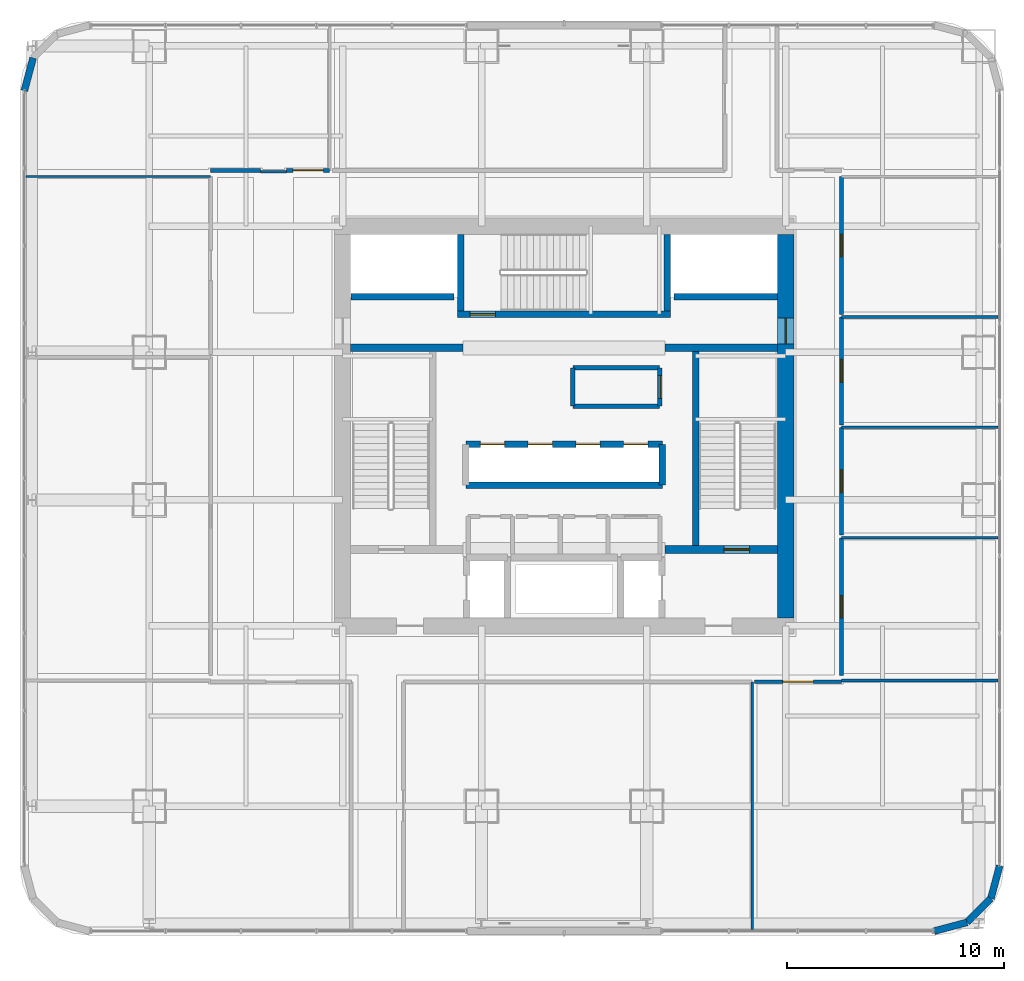
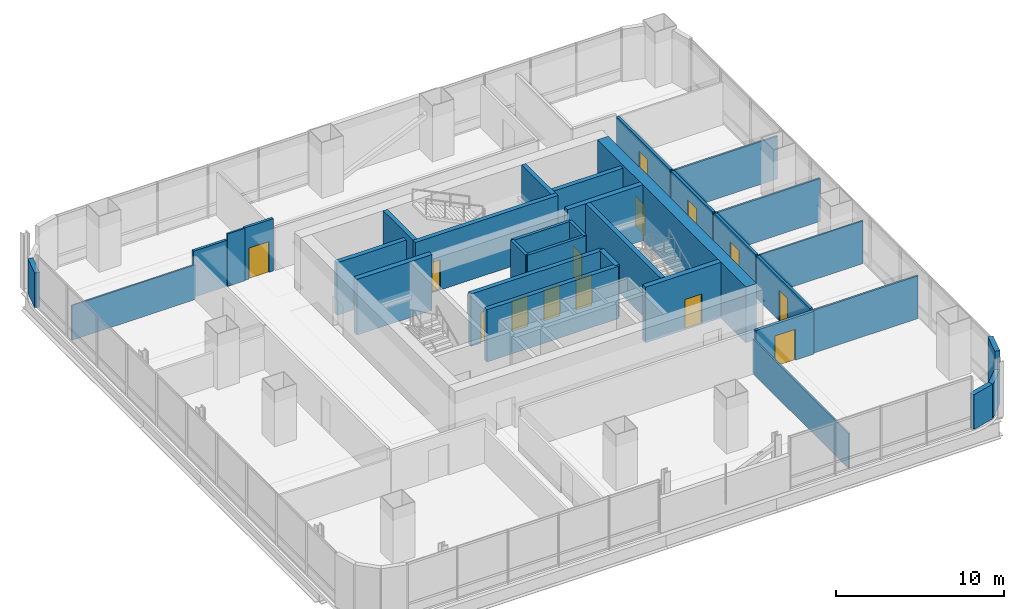
# One storey, part 27 of 37: 35 walls, 14 doors, 14 openings.
"""IFC4 building model written with IfcOpenShell, lengths in metres."""

import ifcopenshell
import ifcopenshell.guid

model = None  # the IFC model being written
_history = None  # IfcOwnerHistory: only IFC2X3 demands one
_inside = {}  # id of a spatial element -> (the spatial element, [elements in it])
_under = {}  # id of a project, library or spatial element -> (it, [spatial elements below it])
_declared = {}  # id of a project -> (the project, [libraries it declares])
_typed = {}  # id of a type object -> (the type object, [elements of that type])
_made_of = {}  # id of a material, layer set ... -> (it, [elements and type objects made of it])


def new_model(schema):
    """Start an empty IFC model of exactly this schema.

    Asked for "IFC4X3", IfcOpenShell would pick the latest addendum, in which some entities
    have other attributes; the version numbers below select the first issue.
    IFC2X3 requires an IfcOwnerHistory on every rooted entity: one is made here for all.
    """
    global model, _history
    if schema == "IFC4X3":
        model = ifcopenshell.file(schema_version=(4, 3, 0, 0))
    else:
        model = ifcopenshell.file(schema=schema)
    _inside.clear()
    _under.clear()
    _declared.clear()
    _typed.clear()
    _made_of.clear()
    _history = None
    if model.schema == "IFC2X3":
        org = make("IfcOrganization", Name="unknown")
        user = make(
            "IfcPersonAndOrganization",
            ThePerson=make("IfcPerson", FamilyName="unknown"),
            TheOrganization=org,
        )
        app = make(
            "IfcApplication",
            ApplicationDeveloper=org,
            Version="unknown",
            ApplicationFullName="unknown",
            ApplicationIdentifier="unknown",
        )
        _history = make(
            "IfcOwnerHistory",
            OwningUser=user,
            OwningApplication=app,
            ChangeAction="ADDED",
            CreationDate=0,
        )
    return model


def make(cls, **values):
    """One entity of the class cls with the attributes given. An attribute that is None is left unset."""
    return model.create_entity(
        cls, **{name: value for name, value in values.items() if value is not None}
    )


def rooted(cls, **values):
    """An entity with a GlobalId (a new one), such as an element, a storey or a relation."""
    return make(cls, GlobalId=ifcopenshell.guid.new(), OwnerHistory=_history, **values)


def si_unit(unit_type, name, prefix=None):
    """IfcSIUnit, for example si_unit("LENGTHUNIT", "METRE", prefix="MILLI")."""
    return make("IfcSIUnit", UnitType=unit_type, Prefix=prefix, Name=name)


def assignment(units):
    """IfcUnitAssignment: the units of a project."""
    return None if units is None else make("IfcUnitAssignment", Units=units)


def point(xyz):
    """IfcCartesianPoint."""
    return None if xyz is None else make("IfcCartesianPoint", Coordinates=xyz)


def direction(xyz):
    """IfcDirection."""
    return None if xyz is None else make("IfcDirection", DirectionRatios=xyz)


def frame(location, z_axis=None, x_axis=None):
    """IfcAxis2Placement3D, a coordinate frame: its origin and axes. An axis left out is left unset."""
    return make(
        "IfcAxis2Placement3D",
        Location=point(location),
        Axis=direction(z_axis),
        RefDirection=direction(x_axis),
    )


def frame_2d(location, x_axis=None):
    """IfcAxis2Placement2D, a coordinate frame in the plane: its origin and x axis."""
    return make(
        "IfcAxis2Placement2D", Location=point(location), RefDirection=direction(x_axis)
    )


def origin():
    """The frame at (0, 0, 0) with its axes left unset."""
    return frame((0.0, 0.0, 0.0))


def place(relative_to, where):
    """IfcLocalPlacement: puts the frame where relative to a parent placement (None: the world)."""
    return make(
        "IfcLocalPlacement", PlacementRelTo=relative_to, RelativePlacement=where
    )


def context(
    kind, dimensions, precision=None, world=None, true_north=None, identifier=None
):
    """IfcGeometricRepresentationContext, for example the 3D "Model" context."""
    return make(
        "IfcGeometricRepresentationContext",
        ContextIdentifier=identifier,
        ContextType=kind,
        CoordinateSpaceDimension=dimensions,
        Precision=precision,
        WorldCoordinateSystem=world,
        TrueNorth=true_north,
    )


def subcontext(parent, identifier, kind, view, scale=None):
    """IfcGeometricRepresentationSubContext, for example "Body" below "Model"."""
    return make(
        "IfcGeometricRepresentationSubContext",
        ContextIdentifier=identifier,
        ContextType=kind,
        ParentContext=parent,
        TargetScale=scale,
        TargetView=view,
    )


def project(units=None, contexts=None):
    """IfcProject with its units and contexts."""
    return rooted(
        "IfcProject",
        Name="project",
        RepresentationContexts=contexts,
        UnitsInContext=assignment(units),
    )


def spatial(cls, under=None, at=None, **own):
    """A site, building, storey or space (cls), placed at a placement, below another one or the project."""
    s = rooted(cls, ObjectPlacement=at, **own)
    if under is not None:
        _under.setdefault(under.id(), (under, []))[1].append(s)
    return s


def profile(cls, at=None, kind="AREA", **sizes):
    """A parametric profile (cls). Its sizes go by their IFC names, for example OverallWidth=200.0."""
    return make(cls, ProfileType=kind, Position=at, **sizes)


def rectangle(**sizes):
    """IfcRectangleProfileDef."""
    return profile("IfcRectangleProfileDef", **sizes)


def extrude(swept, where, along, depth):
    """IfcExtrudedAreaSolid: the profile swept, set in the frame where, extruded along a direction by depth."""
    return make(
        "IfcExtrudedAreaSolid",
        SweptArea=swept,
        Position=where,
        ExtrudedDirection=direction(along),
        Depth=depth,
    )


def shape(context_of_items, identifier, shape_type, items):
    """IfcShapeRepresentation: the items that make up one representation, for example the "Body"."""
    return make(
        "IfcShapeRepresentation",
        ContextOfItems=context_of_items,
        RepresentationIdentifier=identifier,
        RepresentationType=shape_type,
        Items=items,
    )


def material(Name=None, Category=None):
    """IfcMaterial."""
    return make("IfcMaterial", Name=Name, Category=Category)


def layer(
    of_material, thickness, ventilated=None, Name=None, Category=None, Priority=None
):
    """IfcMaterialLayer: one layer of a wall or slab, of a material (None: an air gap)."""
    return make(
        "IfcMaterialLayer",
        Material=of_material,
        LayerThickness=thickness,
        IsVentilated=ventilated,
        Name=Name,
        Category=Category,
        Priority=Priority,
    )


def layer_set(layers, Name=None):
    """IfcMaterialLayerSet."""
    return make("IfcMaterialLayerSet", MaterialLayers=layers, LayerSetName=Name)


def made_of(thing, what):
    """Note that an element or type object is made of a material, layer set ...; save() writes the relation."""
    if what is not None:
        _made_of.setdefault(what.id(), (what, []))[1].append(thing)
    return thing


def type_object(cls, material=None, **own):
    """A type object (cls), such as IfcWallType, which elements share."""
    return made_of(rooted(cls, **own), material)


def element(
    cls,
    number,
    at=None,
    inside=None,
    cuts=None,
    type_object=None,
    material=None,
    context=None,
    identifier="Body",
    shape_type=None,
    held_by="IfcProductDefinitionShape",
    body=None,
    shapes=None,
    **own,
):
    """One element of the class cls, such as IfcWall. Its Tag is "e" and its number.

    at: its placement. inside: the storey or other place that contains it. cuts: it is an
    opening in that element (IfcRelVoidsElement). A single representation is given by context,
    identifier, shape_type and body (its items); several are given by shapes. held_by: the class
    of the entity that holds the representations. save() writes the other relations.
    """
    e = rooted(cls, Tag="e%d" % number, ObjectPlacement=at, **own)
    if body is not None:
        shapes = [shape(context, identifier, shape_type, body)]
    if shapes is not None:
        e.Representation = make(held_by, Representations=shapes)
    if inside is not None:
        _inside.setdefault(inside.id(), (inside, []))[1].append(e)
    if cuts is not None:
        rooted(
            "IfcRelVoidsElement", RelatingBuildingElement=cuts, RelatedOpeningElement=e
        )
    if type_object is not None:
        _typed.setdefault(type_object.id(), (type_object, []))[1].append(e)
    return made_of(e, material)


def fill(opening, filler):
    """IfcRelFillsElement: the door or window that sits in an opening."""
    return rooted(
        "IfcRelFillsElement",
        RelatingOpeningElement=opening,
        RelatedBuildingElement=filler,
    )


def aggregate(whole, parts):
    """IfcRelAggregates: a whole, such as a stair, and the parts it consists of."""
    return rooted("IfcRelAggregates", RelatingObject=whole, RelatedObjects=parts)


def save(model, path):
    """Write the relations noted so far, then the file.

    IfcRelAggregates (storeys below a building ...), IfcRelContainedInSpatialStructure (elements
    in a storey), IfcRelDefinesByType, IfcRelAssociatesMaterial and IfcRelDeclares: one each for
    every whole, place, type object, material and project.
    """
    for whole, parts in _under.values():
        aggregate(whole, parts)
    for where, things in _inside.values():
        rooted(
            "IfcRelContainedInSpatialStructure",
            RelatedElements=things,
            RelatingStructure=where,
        )
    for kind, things in _typed.values():
        rooted("IfcRelDefinesByType", RelatedObjects=things, RelatingType=kind)
    for what, things in _made_of.values():
        rooted("IfcRelAssociatesMaterial", RelatedObjects=things, RelatingMaterial=what)
    for by, libraries in _declared.values():
        rooted("IfcRelDeclares", RelatingContext=by, RelatedDefinitions=libraries)
    model.write(path)


model = new_model("IFC4")

# Units and contexts
model_context = context("Model", 3, precision=1e-05, world=origin(), true_north=direction((0.0, 1.0)))
body_context = subcontext(model_context, "Body", "Model", "MODEL_VIEW")
ifc_project = project(units=[si_unit("LENGTHUNIT", "METRE"), si_unit("AREAUNIT", "SQUARE_METRE"), si_unit("VOLUMEUNIT", "CUBIC_METRE"), si_unit("PLANEANGLEUNIT", "RADIAN"), si_unit("MASSUNIT", "GRAM", prefix="KILO")], contexts=[model_context])

# Site, building, storey
site_placement = place(None, origin())
site = spatial("IfcSite", under=ifc_project, at=site_placement, CompositionType="ELEMENT")
building_placement = place(site_placement, origin())
building = spatial("IfcBuilding", under=site, at=building_placement, Name="Punatoya Terracotta Tower", CompositionType="ELEMENT")
storey_placement = place(building_placement, frame((0.0, 0.0, 44.39990234375)))
storey = spatial("IfcBuildingStorey", under=building, at=storey_placement, Name="L09", CompositionType="ELEMENT", Elevation=44.39990234375)

# Wall, opening, door
ifc_material_1 = material(Name="Concrete C60/75", Category="concrete")
ifc_layer_1 = layer(ifc_material_1, 0.75)
ifc_layer_set_1 = layer_set([ifc_layer_1], Name="Concrete C60/75")
wall_type_1 = type_object("IfcWallType", Name="WL-COR-750", PredefinedType="SHEAR", material=ifc_layer_set_1)
wall_1_placement = place(storey_placement, frame((10.199951171875, 8.824951171875, 0.0), z_axis=(0.0, 0.0, 1.0), x_axis=(0.0, -1.0, 0.0)))
wall_1 = element("IfcWall", 1, at=wall_1_placement, inside=storey, type_object=wall_type_1, Name="L09 Core Shear Wall E", PredefinedType="SHEAR", context=body_context, shape_type="SweptSolid", body=[
    extrude(rectangle(XDim=17.64990234375, YDim=0.75, at=frame_2d((8.824951171875, 0.0))), origin(), (0.0, 0.0, 1.0), 4.050048828125),
])
opening_1_placement = place(wall_1_placement, frame((3.85498046875, 0.0, 0.0)))
opening_1 = element("IfcOpeningElement", 2, at=opening_1_placement, cuts=wall_1, Name="Opening SD-01", PredefinedType="OPENING", context=body_context, shape_type="SweptSolid", body=[
    extrude(rectangle(XDim=1.179931640625, YDim=2.199951171875, at=frame_2d((0.58984375, 1.10009765625))), frame((0.0, 0.385009765625, 0.0), z_axis=(0.0, -1.0, 0.0), x_axis=(1.0, 0.0, 0.0)), (0.0, 0.0, 1.0), 0.77001953125),
])
ifc_material_2 = material(Name="Galvanised Steel Pressurized Stair Fire Door", Category="steel")
door_type_1 = type_object("IfcDoorType", Name="DR-STR-1180", OperationType="NOTDEFINED", PredefinedType="DOOR", material=ifc_material_2)
door_1_placement = place(opening_1_placement, origin())
door_1 = element("IfcDoor", 3, at=door_1_placement, inside=storey, type_object=door_type_1, Name="L09 Central Lift Lobby East Fire Door", OperationType="SINGLE_SWING_RIGHT", OverallHeight=2.199951171875, OverallWidth=1.179931640625, PredefinedType="DOOR", context=body_context, shape_type="SweptSolid", body=[
    extrude(rectangle(XDim=1.179931640625, YDim=2.199951171875, at=frame_2d((0.58984375, 1.10009765625))), frame((0.0, 0.02490234375, 0.0), z_axis=(0.0, -1.0, 0.0), x_axis=(1.0, 0.0, 0.0)), (0.0, 0.0, 1.0), 0.050048828125),
])
fill(opening_1, door_1)

ifc_material_3 = material(Name="Gypsum Fireboard + Steel Stud", Category="steel")
ifc_layer_2 = layer(ifc_material_3, 0.179931640625)
ifc_layer_set_2 = layer_set([ifc_layer_2], Name="Gypsum Fireboard + Steel Stud")
wall_type_2 = type_object("IfcWallType", Name="WL-CORR-180", PredefinedType="PARTITIONING", material=ifc_layer_set_2)
wall_2_placement = place(storey_placement, frame((8.77197265625, -11.77001953125, 0.0), z_axis=(0.0, 0.0, 1.0), x_axis=(1.0, 0.0, 0.0)))
wall_2 = element("IfcWall", 4, at=wall_2_placement, inside=storey, type_object=wall_type_2, Name="L09 Open-Plan Collaborative Workshop Room Partition 20", PredefinedType="PARTITIONING", context=body_context, shape_type="SweptSolid", body=[
    extrude(rectangle(XDim=3.998046875, YDim=0.179931640625, at=frame_2d((1.9990234375, 0.0))), origin(), (0.0, 0.0, 1.0), 3.10400390625),
])
opening_2_placement = place(wall_2_placement, frame((1.299072265625, 0.0, 0.0)))
opening_2 = element("IfcOpeningElement", 5, at=opening_2_placement, cuts=wall_2, Name="Opening BD-01", PredefinedType="OPENING", context=body_context, shape_type="SweptSolid", body=[
    extrude(rectangle(XDim=1.39990234375, YDim=2.25, at=frame_2d((0.699951171875, 1.125))), frame((0.0, 0.099853515625, 0.0), z_axis=(0.0, -1.0, 0.0), x_axis=(1.0, 0.0, 0.0)), (0.0, 0.0, 1.0), 0.199951171875),
])
ifc_material_4 = material(Name="Bengal Teak Acoustic Leaf")
door_type_2 = type_object("IfcDoorType", Name="DR-BRD-1400", OperationType="NOTDEFINED", PredefinedType="DOOR", material=ifc_material_4)
door_2_placement = place(opening_2_placement, origin())
door_2 = element("IfcDoor", 6, at=door_2_placement, inside=storey, type_object=door_type_2, Name="L09 Open-Plan Collaborative Workshop Room Door", OperationType="SINGLE_SWING_LEFT", OverallHeight=2.25, OverallWidth=1.39990234375, PredefinedType="DOOR", context=body_context, shape_type="SweptSolid", body=[
    extrude(rectangle(XDim=1.39990234375, YDim=2.25, at=frame_2d((0.699951171875, 1.125))), frame((0.0, 0.02490234375, 0.0), z_axis=(0.0, -1.0, 0.0), x_axis=(1.0, 0.0, 0.0)), (0.0, 0.0, 1.0), 0.050048828125),
])
fill(opening_2, door_2)

wall_3_placement = place(storey_placement, frame((12.77001953125, -11.489990234375, 0.0), z_axis=(0.0, 0.0, 1.0), x_axis=(0.0, 1.0, 0.0)))
wall_3 = element("IfcWall", 7, at=wall_3_placement, inside=storey, type_object=wall_type_2, Name="L09 Executive Briefing Room Partition 22", PredefinedType="PARTITIONING", context=body_context, shape_type="SweptSolid", body=[
    extrude(rectangle(XDim=6.347900390625, YDim=0.179931640625, at=frame_2d((3.173828125, 0.0))), origin(), (0.0, 0.0, 1.0), 3.10400390625),
])
opening_3_placement = place(wall_3_placement, frame((2.6640625, 0.0, 0.0)))
opening_3 = element("IfcOpeningElement", 8, at=opening_3_placement, cuts=wall_3, Name="Opening MD-01", PredefinedType="OPENING", context=body_context, shape_type="SweptSolid", body=[
    extrude(rectangle(XDim=1.02001953125, YDim=2.199951171875, at=frame_2d((0.510009765625, 1.10009765625))), frame((0.0, 0.099853515625, 0.0), z_axis=(0.0, -1.0, 0.0), x_axis=(1.0, 0.0, 0.0)), (0.0, 0.0, 1.0), 0.199951171875),
])
ifc_material_5 = material(Name="Aluminium + Acoustic Glass Leaf", Category="aluminium")
door_type_3 = type_object("IfcDoorType", Name="DR-MTG-1020", OperationType="NOTDEFINED", PredefinedType="DOOR", material=ifc_material_5)
door_3_placement = place(opening_3_placement, origin())
door_3 = element("IfcDoor", 9, at=door_3_placement, inside=storey, type_object=door_type_3, Name="L09 Executive Briefing Room Door", OperationType="SINGLE_SWING_RIGHT", OverallHeight=2.199951171875, OverallWidth=1.02001953125, PredefinedType="DOOR", context=body_context, shape_type="SweptSolid", body=[
    extrude(rectangle(XDim=1.02001953125, YDim=2.199951171875, at=frame_2d((0.510009765625, 1.10009765625))), frame((0.0, 0.02490234375, 0.0), z_axis=(0.0, -1.0, 0.0), x_axis=(1.0, 0.0, 0.0)), (0.0, 0.0, 1.0), 0.050048828125),
])
fill(opening_3, door_3)

wall_4_placement = place(storey_placement, frame((12.77001953125, -5.02197265625, 0.0), z_axis=(0.0, 0.0, 1.0), x_axis=(0.0, 1.0, 0.0)))
wall_4 = element("IfcWall", 10, at=wall_4_placement, inside=storey, type_object=wall_type_2, Name="L09 Open-Plan Delegate Reception Lounge Partition 26", PredefinedType="PARTITIONING", context=body_context, shape_type="SweptSolid", body=[
    extrude(rectangle(XDim=4.9619140625, YDim=0.179931640625, at=frame_2d((2.48095703125, 0.0))), origin(), (0.0, 0.0, 1.0), 3.10400390625),
])
opening_4_placement = place(wall_4_placement, frame((1.9560546875, 0.0, 0.0)))
opening_4 = element("IfcOpeningElement", 11, at=opening_4_placement, cuts=wall_4, Name="Opening OD-01", PredefinedType="OPENING", context=body_context, shape_type="SweptSolid", body=[
    extrude(rectangle(XDim=1.050048828125, YDim=2.199951171875, at=frame_2d((0.52490234375, 1.10009765625))), frame((0.0, 0.099853515625, 0.0), z_axis=(0.0, -1.0, 0.0), x_axis=(1.0, 0.0, 0.0)), (0.0, 0.0, 1.0), 0.199951171875),
])
ifc_material_6 = material(Name="Bengal Teak Solid-Core Leaf")
door_type_4 = type_object("IfcDoorType", Name="DR-OFF-1050", OperationType="NOTDEFINED", PredefinedType="DOOR", material=ifc_material_6)
door_4_placement = place(opening_4_placement, origin())
door_4 = element("IfcDoor", 12, at=door_4_placement, inside=storey, type_object=door_type_4, Name="L09 Open-Plan Delegate Reception Lounge Door", OperationType="SINGLE_SWING_RIGHT", OverallHeight=2.199951171875, OverallWidth=1.050048828125, PredefinedType="DOOR", context=body_context, shape_type="SweptSolid", body=[
    extrude(rectangle(XDim=1.050048828125, YDim=2.199951171875, at=frame_2d((0.52490234375, 1.10009765625))), frame((0.0, 0.02490234375, 0.0), z_axis=(0.0, -1.0, 0.0), x_axis=(1.0, 0.0, 0.0)), (0.0, 0.0, 1.0), 0.050048828125),
])
fill(opening_4, door_4)

wall_5_placement = place(storey_placement, frame((12.77001953125, 0.06005859375, 0.0), z_axis=(0.0, 0.0, 1.0), x_axis=(0.0, 1.0, 0.0)))
wall_5 = element("IfcWall", 13, at=wall_5_placement, inside=storey, type_object=wall_type_2, Name="L09 Open-Plan Wellness Focus Room Partition 28", PredefinedType="PARTITIONING", context=body_context, shape_type="SweptSolid", body=[
    extrude(rectangle(XDim=4.9619140625, YDim=0.179931640625, at=frame_2d((2.48095703125, 0.0))), origin(), (0.0, 0.0, 1.0), 3.10400390625),
])
opening_5_placement = place(wall_5_placement, frame((1.9560546875, 0.0, 0.0)))
opening_5 = element("IfcOpeningElement", 14, at=opening_5_placement, cuts=wall_5, Name="Opening OD-01", PredefinedType="OPENING", context=body_context, shape_type="SweptSolid", body=[
    extrude(rectangle(XDim=1.050048828125, YDim=2.199951171875, at=frame_2d((0.52490234375, 1.10009765625))), frame((0.0, 0.099853515625, 0.0), z_axis=(0.0, -1.0, 0.0), x_axis=(1.0, 0.0, 0.0)), (0.0, 0.0, 1.0), 0.199951171875),
])
door_5_placement = place(opening_5_placement, origin())
door_5 = element("IfcDoor", 15, at=door_5_placement, inside=storey, type_object=door_type_4, Name="L09 Open-Plan Wellness Focus Room Door", OperationType="SINGLE_SWING_LEFT", OverallHeight=2.199951171875, OverallWidth=1.050048828125, PredefinedType="DOOR", context=body_context, shape_type="SweptSolid", body=[
    extrude(rectangle(XDim=1.050048828125, YDim=2.199951171875, at=frame_2d((0.52490234375, 1.10009765625))), frame((0.0, 0.02490234375, 0.0), z_axis=(0.0, -1.0, 0.0), x_axis=(1.0, 0.0, 0.0)), (0.0, 0.0, 1.0), 0.050048828125),
])
fill(opening_5, door_5)

wall_6_placement = place(storey_placement, frame((12.77001953125, 5.14208984375, 0.0), z_axis=(0.0, 0.0, 1.0), x_axis=(0.0, 1.0, 0.0)))
wall_6 = element("IfcWall", 16, at=wall_6_placement, inside=storey, type_object=wall_type_2, Name="L09 Symposium Colloquium Room Partition 32", PredefinedType="PARTITIONING", context=body_context, shape_type="SweptSolid", body=[
    extrude(rectangle(XDim=6.347900390625, YDim=0.179931640625, at=frame_2d((3.173828125, 0.0))), origin(), (0.0, 0.0, 1.0), 3.10400390625),
])
opening_6_placement = place(wall_6_placement, frame((2.6640625, 0.0, 0.0)))
opening_6 = element("IfcOpeningElement", 17, at=opening_6_placement, cuts=wall_6, Name="Opening MD-01", PredefinedType="OPENING", context=body_context, shape_type="SweptSolid", body=[
    extrude(rectangle(XDim=1.02001953125, YDim=2.199951171875, at=frame_2d((0.510009765625, 1.10009765625))), frame((0.0, 0.099853515625, 0.0), z_axis=(0.0, -1.0, 0.0), x_axis=(1.0, 0.0, 0.0)), (0.0, 0.0, 1.0), 0.199951171875),
])
door_6_placement = place(opening_6_placement, origin())
door_6 = element("IfcDoor", 18, at=door_6_placement, inside=storey, type_object=door_type_3, Name="L09 Symposium Colloquium Room Door", OperationType="SINGLE_SWING_LEFT", OverallHeight=2.199951171875, OverallWidth=1.02001953125, PredefinedType="DOOR", context=body_context, shape_type="SweptSolid", body=[
    extrude(rectangle(XDim=1.02001953125, YDim=2.199951171875, at=frame_2d((0.510009765625, 1.10009765625))), frame((0.0, 0.02490234375, 0.0), z_axis=(0.0, -1.0, 0.0), x_axis=(1.0, 0.0, 0.0)), (0.0, 0.0, 1.0), 0.050048828125),
])
fill(opening_6, door_6)

wall_7_placement = place(storey_placement, frame((-10.7939453125, 11.77001953125, 0.0), z_axis=(0.0, 0.0, 1.0), x_axis=(-1.0, 0.0, 0.0)))
wall_7 = element("IfcWall", 19, at=wall_7_placement, inside=storey, type_object=wall_type_2, Name="L09 Open-Plan Roundtable Conference Room Partition 35", PredefinedType="PARTITIONING", context=body_context, shape_type="SweptSolid", body=[
    extrude(rectangle(XDim=1.97607421875, YDim=0.179931640625, at=frame_2d((0.988037109375, 0.0))), origin(), (0.0, 0.0, 1.0), 3.81005859375),
])
opening_7_placement = place(wall_7_placement, frame((0.2880859375, 0.0, 0.0)))
opening_7 = element("IfcOpeningElement", 20, at=opening_7_placement, cuts=wall_7, Name="Opening BD-01", PredefinedType="OPENING", context=body_context, shape_type="SweptSolid", body=[
    extrude(rectangle(XDim=1.39990234375, YDim=2.25, at=frame_2d((0.699951171875, 1.125))), frame((0.0, 0.099853515625, 0.0), z_axis=(0.0, -1.0, 0.0), x_axis=(1.0, 0.0, 0.0)), (0.0, 0.0, 1.0), 0.199951171875),
])
door_7_placement = place(opening_7_placement, origin())
door_7 = element("IfcDoor", 21, at=door_7_placement, inside=storey, type_object=door_type_2, Name="L09 Open-Plan Roundtable Conference Room Door", OperationType="SINGLE_SWING_RIGHT", OverallHeight=2.25, OverallWidth=1.39990234375, PredefinedType="DOOR", context=body_context, shape_type="SweptSolid", body=[
    extrude(rectangle(XDim=1.39990234375, YDim=2.25, at=frame_2d((0.699951171875, 1.125))), frame((0.0, 0.02490234375, 0.0), z_axis=(0.0, -1.0, 0.0), x_axis=(1.0, 0.0, 0.0)), (0.0, 0.0, 1.0), 0.050048828125),
])
fill(opening_7, door_7)

# Walls
wall_8_placement = place(storey_placement, frame((-13.97998046875, 11.77001953125, 0.0), z_axis=(0.0, 0.0, 1.0), x_axis=(-1.0, 0.0, 0.0)))
element("IfcWall", 22, at=wall_8_placement, inside=storey, type_object=wall_type_2, Name="L09 Open-Plan Roundtable Conference Room Partition 37", PredefinedType="PARTITIONING", context=body_context, shape_type="SweptSolid", body=[
    extrude(rectangle(XDim=2.2900390625, YDim=0.179931640625, at=frame_2d((1.14501953125, 0.0))), origin(), (0.0, 0.0, 1.0), 3.35400390625),
])
ifc_material_7 = material(Name="Precast concrete C40/50", Category="concrete")
ifc_layer_3 = layer(ifc_material_7, 0.320068359375)
ifc_layer_set_3 = layer_set([ifc_layer_3], Name="Precast concrete C40/50")
wall_type_3 = type_object("IfcWallType", Name="WL-EXT-320", PredefinedType="SOLIDWALL", material=ifc_layer_set_3)
wall_9_placement = place(storey_placement, frame((17.036865234375, -23.25, 0.0), z_axis=(0.0, 0.0, 1.0), x_axis=(0.966224582397, 0.257701486942, 0.0)))
element("IfcWall", 23, at=wall_9_placement, inside=storey, type_object=wall_type_3, Name="L09 Rounded Terracotta Corner Pier 02", PredefinedType="SOLIDWALL", context=body_context, shape_type="SweptSolid", body=[
    extrude(rectangle(XDim=1.565185546875, YDim=0.320068359375, at=frame_2d((0.78271484375, 0.0))), origin(), (0.0, 0.0, 1.0), 2.524169921875),
])
wall_10_placement = place(storey_placement, frame((18.549072265625, -22.8466796875, 0.0), z_axis=(0.0, 0.0, 1.0), x_axis=(0.707028130747, 0.707185422879, 0.0)))
element("IfcWall", 24, at=wall_10_placement, inside=storey, type_object=wall_type_3, Name="L09 Rounded Terracotta Corner Pier 03", PredefinedType="SOLIDWALL", context=body_context, shape_type="SweptSolid", body=[
    extrude(rectangle(XDim=1.55224609375, YDim=0.320068359375, at=frame_2d((0.776123046875, 0.0))), origin(), (0.0, 0.0, 1.0), 2.484130859375),
])
wall_11_placement = place(storey_placement, frame((19.646484375, -21.7490234375, 0.0), z_axis=(0.0, 0.0, 1.0), x_axis=(0.257847112249, 0.966185730957, 0.0)))
element("IfcWall", 25, at=wall_11_placement, inside=storey, type_object=wall_type_3, Name="L09 Rounded Terracotta Corner Pier 04", PredefinedType="SOLIDWALL", context=body_context, shape_type="SweptSolid", body=[
    extrude(rectangle(XDim=1.565185546875, YDim=0.320068359375, at=frame_2d((0.78271484375, 0.0))), origin(), (0.0, 0.0, 1.0), 3.81005859375),
])
wall_12_placement = place(storey_placement, frame((-24.446533203125, 16.94921875, 0.0), z_axis=(0.0, 0.0, 1.0), x_axis=(-0.257847112249, -0.966185730957, 0.0)))
element("IfcWall", 26, at=wall_12_placement, inside=storey, type_object=wall_type_3, Name="L09 Rounded Terracotta Corner Pier 12", PredefinedType="SOLIDWALL", context=body_context, shape_type="SweptSolid", body=[
    extrude(rectangle(XDim=1.565185546875, YDim=0.320068359375, at=frame_2d((0.78271484375, 0.0))), origin(), (0.0, 0.0, 1.0), 2.524169921875),
])
ifc_material_8 = material(Name="Aluminium Framed Acoustic Glass Partition", Category="aluminium")
ifc_layer_4 = layer(ifc_material_8, 0.10009765625)
ifc_layer_set_4 = layer_set([ifc_layer_4], Name="Aluminium Framed Acoustic Glass Partition")
wall_type_4 = type_object("IfcWallType", Name="WL-GLZ-100", PredefinedType="PARTITIONING", material=ifc_layer_set_4)
wall_13_placement = place(storey_placement, frame((12.77001953125, -5.14208984375, 0.0), z_axis=(0.0, 0.0, 1.0), x_axis=(1.0, 0.0, 0.0)))
element("IfcWall", 27, at=wall_13_placement, inside=storey, type_object=wall_type_4, Name="L09 Executive Briefing Room Partition 23", PredefinedType="PARTITIONING", context=body_context, shape_type="SweptSolid", body=[
    extrude(rectangle(XDim=7.199951171875, YDim=0.10009765625, at=frame_2d((3.60009765625, 0.0))), origin(), (0.0, 0.0, 1.0), 3.10400390625),
])
wall_14_placement = place(storey_placement, frame((-24.77001953125, 11.489990234375, 0.0), z_axis=(0.0, 0.0, 1.0), x_axis=(1.0, 0.0, 0.0)))
element("IfcWall", 28, at=wall_14_placement, inside=storey, type_object=wall_type_4, Name="L09 Open-Plan Case-Study Classroom Partition 30", PredefinedType="PARTITIONING", context=body_context, shape_type="SweptSolid", body=[
    extrude(rectangle(XDim=8.5, YDim=0.10009765625, at=frame_2d((4.25, 0.0))), origin(), (0.0, 0.0, 1.0), 2.524169921875),
])

# Wall, opening, door
ifc_material_9 = material(Name="Concrete C40/50", Category="concrete")
ifc_layer_5 = layer(ifc_material_9, 0.199951171875)
ifc_layer_set_5 = layer_set([ifc_layer_5], Name="Concrete C40/50")
wall_type_5 = type_object("IfcWallType", Name="WL-INT-200", PredefinedType="SOLIDWALL", material=ifc_layer_set_5)
wall_15_placement = place(storey_placement, frame((4.39990234375, 0.919921875, 0.0), z_axis=(0.0, 0.0, 1.0), x_axis=(0.0, 1.0, 0.0)))
wall_15 = element("IfcWall", 29, at=wall_15_placement, inside=storey, type_object=wall_type_5, Name="L09 East Core Tea Pantry Partition 10", PredefinedType="SOLIDWALL", context=body_context, shape_type="SweptSolid", body=[
    extrude(rectangle(XDim=1.760009765625, YDim=0.199951171875, at=frame_2d((0.8798828125, 0.0))), origin(), (0.0, 0.0, 1.0), 3.81005859375),
])
opening_8_placement = place(wall_15_placement, frame((0.35498046875, 0.0, 0.0)))
opening_8 = element("IfcOpeningElement", 30, at=opening_8_placement, cuts=wall_15, Name="Opening OD-01", PredefinedType="OPENING", context=body_context, shape_type="SweptSolid", body=[
    extrude(rectangle(XDim=1.050048828125, YDim=2.199951171875, at=frame_2d((0.52490234375, 1.10009765625))), frame((0.0, 0.10986328125, 0.0), z_axis=(0.0, -1.0, 0.0), x_axis=(1.0, 0.0, 0.0)), (0.0, 0.0, 1.0), 0.219970703125),
])
door_8_placement = place(opening_8_placement, origin())
door_8 = element("IfcDoor", 31, at=door_8_placement, inside=storey, type_object=door_type_4, Name="L09 East Tea Pantry Door", OperationType="SINGLE_SWING_RIGHT", OverallHeight=2.199951171875, OverallWidth=1.050048828125, PredefinedType="DOOR", context=body_context, shape_type="SweptSolid", body=[
    extrude(rectangle(XDim=1.050048828125, YDim=2.199951171875, at=frame_2d((0.52490234375, 1.10009765625))), frame((0.0, 0.02490234375, 0.0), z_axis=(0.0, -1.0, 0.0), x_axis=(1.0, 0.0, 0.0)), (0.0, 0.0, 1.0), 0.050048828125),
])
fill(opening_8, door_8)

# Walls
wall_16_placement = place(storey_placement, frame((4.39990234375, 2.679931640625, 0.0), z_axis=(0.0, 0.0, 1.0), x_axis=(-1.0, 0.0, 0.0)))
element("IfcWall", 32, at=wall_16_placement, inside=storey, type_object=wall_type_5, Name="L09 East Core Tea Pantry Partition 11", PredefinedType="SOLIDWALL", context=body_context, shape_type="SweptSolid", body=[
    extrude(rectangle(XDim=4.0, YDim=0.199951171875, at=frame_2d((2.0, 0.0))), origin(), (0.0, 0.0, 1.0), 3.81005859375),
])
wall_17_placement = place(storey_placement, frame((0.39990234375, 2.679931640625, 0.0), z_axis=(0.0, 0.0, 1.0), x_axis=(0.0, -1.0, 0.0)))
element("IfcWall", 33, at=wall_17_placement, inside=storey, type_object=wall_type_5, Name="L09 East Core Tea Pantry Partition 12", PredefinedType="SOLIDWALL", context=body_context, shape_type="SweptSolid", body=[
    extrude(rectangle(XDim=1.760009765625, YDim=0.199951171875, at=frame_2d((0.8798828125, 0.0))), origin(), (0.0, 0.0, 1.0), 3.81005859375),
])
wall_18_placement = place(storey_placement, frame((0.39990234375, 0.919921875, 0.0), z_axis=(0.0, 0.0, 1.0), x_axis=(1.0, 0.0, 0.0)))
element("IfcWall", 34, at=wall_18_placement, inside=storey, type_object=wall_type_5, Name="L09 East Core Tea Pantry Partition 13", PredefinedType="SOLIDWALL", context=body_context, shape_type="SweptSolid", body=[
    extrude(rectangle(XDim=4.0, YDim=0.199951171875, at=frame_2d((2.0, 0.0))), origin(), (0.0, 0.0, 1.0), 3.81005859375),
])
ifc_material_10 = material(Name="Gypsum Partition + Steel Stud", Category="steel")
ifc_layer_6 = layer(ifc_material_10, 0.1201171875)
ifc_layer_set_6 = layer_set([ifc_layer_6], Name="Gypsum Partition + Steel Stud")
wall_type_6 = type_object("IfcWallType", Name="WL-OFF-120", PredefinedType="PARTITIONING", material=ifc_layer_set_6)
wall_19_placement = place(storey_placement, frame((8.652099609375, -11.77001953125, 0.0), z_axis=(0.0, 0.0, 1.0), x_axis=(0.0, -1.0, 0.0)))
element("IfcWall", 35, at=wall_19_placement, inside=storey, type_object=wall_type_6, Name="L09 Plenary Seminar Room Partition 16", PredefinedType="PARTITIONING", context=body_context, shape_type="SweptSolid", body=[
    extrude(rectangle(XDim=11.39990234375, YDim=0.1201171875, at=frame_2d((5.699951171875, 0.0))), origin(), (0.0, 0.0, 1.0), 2.524169921875),
])
for number, where, z_axis, x_axis, name in (
    (36, (12.77001953125, -11.7099609375, 0.0), (0.0, 0.0, 1.0), (1.0, 0.0, 0.0), "L09 Open-Plan Collaborative Workshop Room Partition 21"),
    (37, (12.77001953125, -0.06005859375, 0.0), (0.0, 0.0, 1.0), (1.0, 0.0, 0.0), "L09 Open-Plan Delegate Reception Lounge Partition 27"),
    (38, (12.77001953125, 5.02197265625, 0.0), (0.0, 0.0, 1.0), (1.0, 0.0, 0.0), "L09 Open-Plan Wellness Focus Room Partition 29"),
):
    element("IfcWall", number, at=place(storey_placement, frame(where, z_axis=z_axis, x_axis=x_axis)), inside=storey, type_object=wall_type_6, Name=name, PredefinedType="PARTITIONING", context=body_context, shape_type="SweptSolid", body=[
        extrude(rectangle(XDim=7.199951171875, YDim=0.1201171875, at=frame_2d((3.60009765625, 0.0))), origin(), (0.0, 0.0, 1.0), 3.10400390625),
    ])
wall_20_placement = place(storey_placement, frame((-12.77001953125, 11.7099609375, 0.0), z_axis=(0.0, 0.0, 1.0), x_axis=(-1.0, 0.0, 0.0)))
element("IfcWall", 39, at=wall_20_placement, inside=storey, type_object=wall_type_6, Name="L09 Open-Plan Roundtable Conference Room Partition 36", PredefinedType="PARTITIONING", context=body_context, shape_type="SweptSolid", body=[
    extrude(rectangle(XDim=1.2099609375, YDim=0.1201171875, at=frame_2d((0.60498046875, 0.0))), origin(), (0.0, 0.0, 1.0), 3.81005859375),
])
ifc_layer_7 = layer(ifc_material_9, 0.300048828125)
ifc_layer_set_7 = layer_set([ifc_layer_7], Name="Concrete C40/50")
wall_type_7 = type_object("IfcWallType", Name="WL-SHF-300", PredefinedType="SOLIDWALL", material=ifc_layer_set_7)
wall_21_placement = place(storey_placement, frame((6.050048828125, 3.449951171875, 0.0), z_axis=(0.0, 0.0, 1.0), x_axis=(0.0, -1.0, 0.0)))
element("IfcWall", 40, at=wall_21_placement, inside=storey, type_object=wall_type_7, Name="L09 Structural Stair Shaft Wall SW-ST2-W", PredefinedType="SOLIDWALL", context=body_context, shape_type="SweptSolid", body=[
    extrude(rectangle(XDim=8.949951171875, YDim=0.300048828125, at=frame_2d((4.47509765625, 0.0))), origin(), (0.0, 0.0, 1.0), 4.050048828125),
])
for number, where, z_axis, x_axis, name in (
    (41, (-4.75, 5.300048828125, 0.0), (0.0, 0.0, 1.0), (0.0, 1.0, 0.0), "L09 Structural Stair Shaft Wall SW-ST3-W"),
    (42, (4.75, 8.824951171875, 0.0), (0.0, 0.0, 1.0), (0.0, -1.0, 0.0), "L09 Structural Stair Shaft Wall SW-ST3-E"),
):
    element("IfcWall", number, at=place(storey_placement, frame(where, z_axis=z_axis, x_axis=x_axis)), inside=storey, type_object=wall_type_7, Name=name, PredefinedType="SOLIDWALL", context=body_context, shape_type="SweptSolid", body=[
        extrude(rectangle(XDim=3.52490234375, YDim=0.300048828125, at=frame_2d((1.762451171875, 0.0))), origin(), (0.0, 0.0, 1.0), 4.050048828125),
    ])

# Wall, opening, door
wall_22_placement = place(storey_placement, frame((-4.89990234375, 5.14990234375, 0.0), z_axis=(0.0, 0.0, 1.0), x_axis=(1.0, 0.0, 0.0)))
wall_22 = element("IfcWall", 43, at=wall_22_placement, inside=storey, type_object=wall_type_7, Name="L09 Structural Stair Shaft Wall SW-ST3-S", PredefinedType="SOLIDWALL", context=body_context, shape_type="SweptSolid", body=[
    extrude(rectangle(XDim=9.7998046875, YDim=0.300048828125, at=frame_2d((4.89990234375, 0.0))), origin(), (0.0, 0.0, 1.0), 4.050048828125),
])
opening_9_placement = place(wall_22_placement, frame((0.56005859375, 0.0, 0.0)))
opening_9 = element("IfcOpeningElement", 44, at=opening_9_placement, cuts=wall_22, Name="Opening SD-01", PredefinedType="OPENING", context=body_context, shape_type="SweptSolid", body=[
    extrude(rectangle(XDim=1.179931640625, YDim=2.199951171875, at=frame_2d((0.58984375, 1.10009765625))), frame((0.0, 0.159912109375, 0.0), z_axis=(0.0, -1.0, 0.0), x_axis=(1.0, 0.0, 0.0)), (0.0, 0.0, 1.0), 0.320068359375),
])
door_9_placement = place(opening_9_placement, origin())
door_9 = element("IfcDoor", 45, at=door_9_placement, inside=storey, type_object=door_type_1, Name="L09 Stair ST-3 Core Lobby Fire Door", OperationType="SINGLE_SWING_LEFT", OverallHeight=2.199951171875, OverallWidth=1.179931640625, PredefinedType="DOOR", context=body_context, shape_type="SweptSolid", body=[
    extrude(rectangle(XDim=1.179931640625, YDim=2.199951171875, at=frame_2d((0.58984375, 1.10009765625))), frame((0.0, 0.02490234375, 0.0), z_axis=(0.0, -1.0, 0.0), x_axis=(1.0, 0.0, 0.0)), (0.0, 0.0, 1.0), 0.050048828125),
])
fill(opening_9, door_9)

# Wall, openings, doors
wall_23_placement = place(storey_placement, frame((-4.52001953125, -0.840087890625, 0.0), z_axis=(0.0, 0.0, 1.0), x_axis=(1.0, 0.0, 0.0)))
wall_23 = element("IfcWall", 46, at=wall_23_placement, inside=storey, type_object=wall_type_7, Name="L09 South Lift Bank Front Shaft Wall", PredefinedType="SOLIDWALL", context=body_context, shape_type="SweptSolid", body=[
    extrude(rectangle(XDim=9.0400390625, YDim=0.300048828125, at=frame_2d((4.52001953125, 0.0))), origin(), (0.0, 0.0, 1.0), 3.81005859375),
])
opening_10_placement = place(wall_23_placement, frame((0.659912109375, 0.0, 0.0)))
opening_10 = element("IfcOpeningElement", 47, at=opening_10_placement, cuts=wall_23, Name="Opening LD-02", PredefinedType="OPENING", context=body_context, shape_type="SweptSolid", body=[
    extrude(rectangle(XDim=1.1201171875, YDim=2.25, at=frame_2d((0.56005859375, 1.125))), frame((0.0, 0.159912109375, 0.0), z_axis=(0.0, -1.0, 0.0), x_axis=(1.0, 0.0, 0.0)), (0.0, 0.0, 1.0), 0.320068359375),
])
opening_11_placement = place(wall_23_placement, frame((2.860107421875, 0.0, 0.0)))
opening_11 = element("IfcOpeningElement", 48, at=opening_11_placement, cuts=wall_23, Name="Opening LD-02", PredefinedType="OPENING", context=body_context, shape_type="SweptSolid", body=[
    extrude(rectangle(XDim=1.1201171875, YDim=2.25, at=frame_2d((0.56005859375, 1.125))), frame((0.0, 0.159912109375, 0.0), z_axis=(0.0, -1.0, 0.0), x_axis=(1.0, 0.0, 0.0)), (0.0, 0.0, 1.0), 0.320068359375),
])
opening_12_placement = place(wall_23_placement, frame((5.06005859375, 0.0, 0.0)))
opening_12 = element("IfcOpeningElement", 49, at=opening_12_placement, cuts=wall_23, Name="Opening LD-02", PredefinedType="OPENING", context=body_context, shape_type="SweptSolid", body=[
    extrude(rectangle(XDim=1.1201171875, YDim=2.25, at=frame_2d((0.56005859375, 1.125))), frame((0.0, 0.159912109375, 0.0), z_axis=(0.0, -1.0, 0.0), x_axis=(1.0, 0.0, 0.0)), (0.0, 0.0, 1.0), 0.320068359375),
])
opening_13_placement = place(wall_23_placement, frame((7.260009765625, 0.0, 0.0)))
opening_13 = element("IfcOpeningElement", 50, at=opening_13_placement, cuts=wall_23, Name="Opening LD-02", PredefinedType="OPENING", context=body_context, shape_type="SweptSolid", body=[
    extrude(rectangle(XDim=1.1201171875, YDim=2.25, at=frame_2d((0.56005859375, 1.125))), frame((0.0, 0.159912109375, 0.0), z_axis=(0.0, -1.0, 0.0), x_axis=(1.0, 0.0, 0.0)), (0.0, 0.0, 1.0), 0.320068359375),
])
ifc_material_11 = material(Name="Stainless Steel Lift Landing Door", Category="steel")
door_type_5 = type_object("IfcDoorType", Name="DR-LND-1120", OperationType="NOTDEFINED", PredefinedType="DOOR", material=ifc_material_11)
door_10_placement = place(opening_10_placement, origin())
door_10 = element("IfcDoor", 51, at=door_10_placement, inside=storey, type_object=door_type_5, Name="L09 Lift PL-L1 Sliding Landing Door", OperationType="DOUBLE_DOOR_SLIDING", OverallHeight=2.25, OverallWidth=1.1201171875, PredefinedType="DOOR", context=body_context, shape_type="SweptSolid", body=[
    extrude(rectangle(XDim=1.1201171875, YDim=2.25, at=frame_2d((0.56005859375, 1.125))), frame((0.0, 0.02490234375, 0.0), z_axis=(0.0, -1.0, 0.0), x_axis=(1.0, 0.0, 0.0)), (0.0, 0.0, 1.0), 0.050048828125),
])
fill(opening_10, door_10)
door_11_placement = place(opening_11_placement, origin())
door_11 = element("IfcDoor", 52, at=door_11_placement, inside=storey, type_object=door_type_5, Name="L09 Lift PL-L2 Sliding Landing Door", OperationType="DOUBLE_DOOR_SLIDING", OverallHeight=2.25, OverallWidth=1.1201171875, PredefinedType="DOOR", context=body_context, shape_type="SweptSolid", body=[
    extrude(rectangle(XDim=1.1201171875, YDim=2.25, at=frame_2d((0.56005859375, 1.125))), frame((0.0, 0.02490234375, 0.0), z_axis=(0.0, -1.0, 0.0), x_axis=(1.0, 0.0, 0.0)), (0.0, 0.0, 1.0), 0.050048828125),
])
fill(opening_11, door_11)
door_12_placement = place(opening_12_placement, origin())
door_12 = element("IfcDoor", 53, at=door_12_placement, inside=storey, type_object=door_type_5, Name="L09 Lift PL-L3 Sliding Landing Door", OperationType="DOUBLE_DOOR_SLIDING", OverallHeight=2.25, OverallWidth=1.1201171875, PredefinedType="DOOR", context=body_context, shape_type="SweptSolid", body=[
    extrude(rectangle(XDim=1.1201171875, YDim=2.25, at=frame_2d((0.56005859375, 1.125))), frame((0.0, 0.02490234375, 0.0), z_axis=(0.0, -1.0, 0.0), x_axis=(1.0, 0.0, 0.0)), (0.0, 0.0, 1.0), 0.050048828125),
])
fill(opening_12, door_12)
door_13_placement = place(opening_13_placement, origin())
door_13 = element("IfcDoor", 54, at=door_13_placement, inside=storey, type_object=door_type_5, Name="L09 Lift PL-L4 Sliding Landing Door", OperationType="DOUBLE_DOOR_SLIDING", OverallHeight=2.25, OverallWidth=1.1201171875, PredefinedType="DOOR", context=body_context, shape_type="SweptSolid", body=[
    extrude(rectangle(XDim=1.1201171875, YDim=2.25, at=frame_2d((0.56005859375, 1.125))), frame((0.0, 0.02490234375, 0.0), z_axis=(0.0, -1.0, 0.0), x_axis=(1.0, 0.0, 0.0)), (0.0, 0.0, 1.0), 0.050048828125),
])
fill(opening_13, door_13)

# Walls
wall_24_placement = place(storey_placement, frame((-4.52001953125, -2.719970703125, 0.0), z_axis=(0.0, 0.0, 1.0), x_axis=(1.0, 0.0, 0.0)))
element("IfcWall", 55, at=wall_24_placement, inside=storey, type_object=wall_type_7, Name="L09 South Lift Bank Rear Shaft Wall", PredefinedType="SOLIDWALL", context=body_context, shape_type="SweptSolid", body=[
    extrude(rectangle(XDim=9.0400390625, YDim=0.300048828125, at=frame_2d((4.52001953125, 0.0))), origin(), (0.0, 0.0, 1.0), 3.81005859375),
])
wall_25_placement = place(storey_placement, frame((4.52001953125, -2.719970703125, 0.0), z_axis=(0.0, 0.0, 1.0), x_axis=(0.0, 1.0, 0.0)))
element("IfcWall", 56, at=wall_25_placement, inside=storey, type_object=wall_type_7, Name="L09 South Lift Bank East End Wall", PredefinedType="SOLIDWALL", context=body_context, shape_type="SweptSolid", body=[
    extrude(rectangle(XDim=1.8798828125, YDim=0.300048828125, at=frame_2d((0.93994140625, 0.0))), origin(), (0.0, 0.0, 1.0), 3.81005859375),
])
for number, where, z_axis, x_axis, name in (
    (57, (-9.820068359375, 5.949951171875, 0.0), (0.0, 0.0, 1.0), (1.0, 0.0, 0.0), "L09 Shuttle SL-1 South Hoistway Wall"),
    (58, (5.06005859375, 5.949951171875, 0.0), (0.0, 0.0, 1.0), (1.0, 0.0, 0.0), "L09 Shuttle SL-2 South Hoistway Wall"),
):
    element("IfcWall", number, at=place(storey_placement, frame(where, z_axis=z_axis, x_axis=x_axis)), inside=storey, type_object=wall_type_7, Name=name, PredefinedType="SOLIDWALL", context=body_context, shape_type="SweptSolid", body=[
        extrude(rectangle(XDim=4.760009765625, YDim=0.300048828125, at=frame_2d((2.3798828125, 0.0))), origin(), (0.0, 0.0, 1.0), 3.81005859375),
    ])

# Wall, opening, door
ifc_material_12 = material(Name="Concrete C50/60", Category="concrete")
ifc_layer_8 = layer(ifc_material_12, 0.35009765625)
ifc_layer_set_8 = layer_set([ifc_layer_8], Name="Concrete C50/60")
wall_type_8 = type_object("IfcWallType", Name="WL-SHF-350", PredefinedType="SOLIDWALL", material=ifc_layer_set_8)
wall_26_placement = place(storey_placement, frame((4.64990234375, -5.679931640625, 0.0), z_axis=(0.0, 0.0, 1.0), x_axis=(1.0, 0.0, 0.0)))
wall_26 = element("IfcWall", 59, at=wall_26_placement, inside=storey, type_object=wall_type_8, Name="L09 Core Web Wall CSW-R", PredefinedType="SOLIDWALL", context=body_context, shape_type="SweptSolid", body=[
    extrude(rectangle(XDim=5.175048828125, YDim=0.35009765625, at=frame_2d((2.58740234375, 0.0))), origin(), (0.0, 0.0, 1.0), 4.050048828125),
])
opening_14_placement = place(wall_26_placement, frame((2.7099609375, 0.0, 0.0)))
opening_14 = element("IfcOpeningElement", 60, at=opening_14_placement, cuts=wall_26, Name="Opening SD-01", PredefinedType="OPENING", context=body_context, shape_type="SweptSolid", body=[
    extrude(rectangle(XDim=1.179931640625, YDim=2.199951171875, at=frame_2d((0.58984375, 1.10009765625))), frame((0.0, 0.18505859375, 0.0), z_axis=(0.0, -1.0, 0.0), x_axis=(1.0, 0.0, 0.0)), (0.0, 0.0, 1.0), 0.3701171875),
])
door_14_placement = place(opening_14_placement, origin())
door_14 = element("IfcDoor", 61, at=door_14_placement, inside=storey, type_object=door_type_1, Name="L09 Stair ST-2 Smokeproof Lobby Fire Door", OperationType="SINGLE_SWING_RIGHT", OverallHeight=2.199951171875, OverallWidth=1.179931640625, PredefinedType="DOOR", context=body_context, shape_type="SweptSolid", body=[
    extrude(rectangle(XDim=1.179931640625, YDim=2.199951171875, at=frame_2d((0.58984375, 1.10009765625))), frame((0.0, 0.02490234375, 0.0), z_axis=(0.0, -1.0, 0.0), x_axis=(1.0, 0.0, 0.0)), (0.0, 0.0, 1.0), 0.050048828125),
])
fill(opening_14, door_14)

# Walls
for number, where, z_axis, x_axis, name in (
    (62, (-9.824951171875, 3.60009765625, 0.0), (0.0, 0.0, 1.0), (1.0, 0.0, 0.0), "L09 Core Web Wall CNW-L"),
    (63, (4.64990234375, 3.60009765625, 0.0), (0.0, 0.0, 1.0), (1.0, 0.0, 0.0), "L09 Core Web Wall CNW-R"),
):
    element("IfcWall", number, at=place(storey_placement, frame(where, z_axis=z_axis, x_axis=x_axis)), inside=storey, type_object=wall_type_8, Name=name, PredefinedType="SOLIDWALL", context=body_context, shape_type="SweptSolid", body=[
        extrude(rectangle(XDim=5.175048828125, YDim=0.35009765625, at=frame_2d((2.58740234375, 0.0))), origin(), (0.0, 0.0, 1.0), 4.050048828125),
    ])

save(model, "model.ifc")
